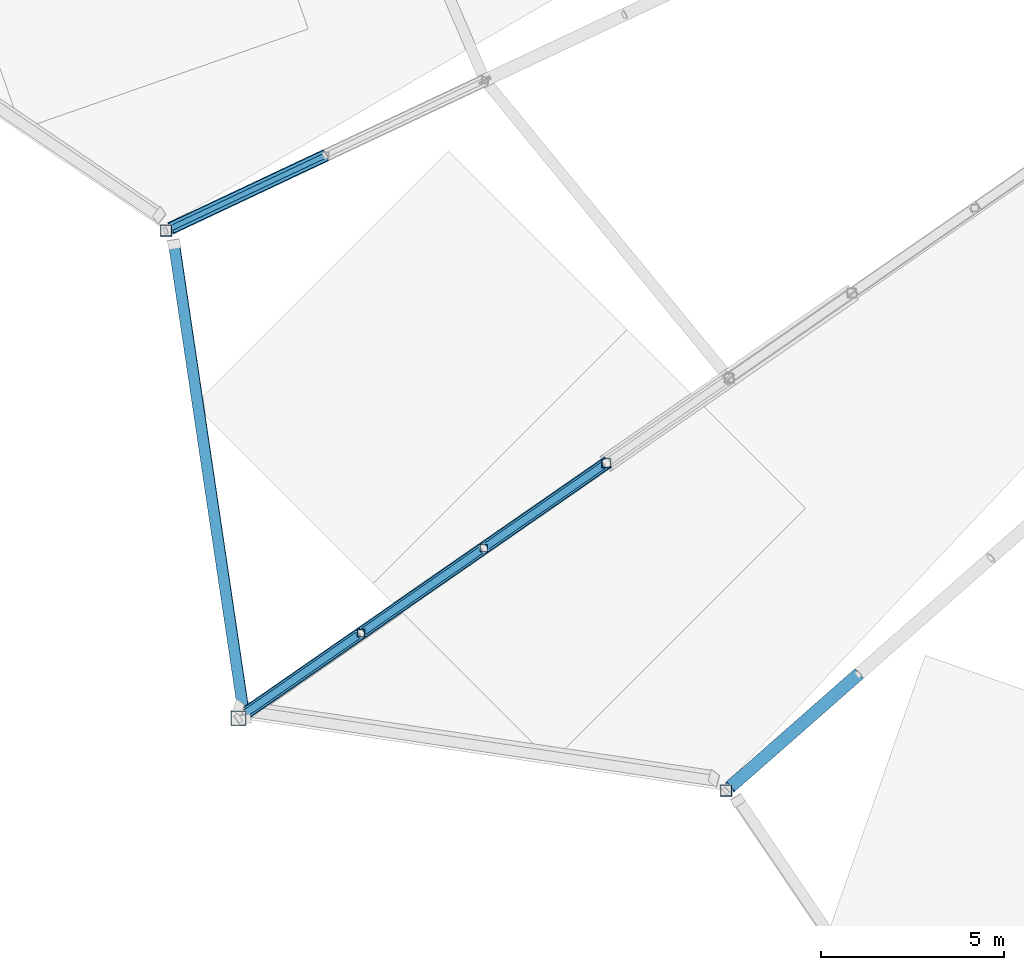
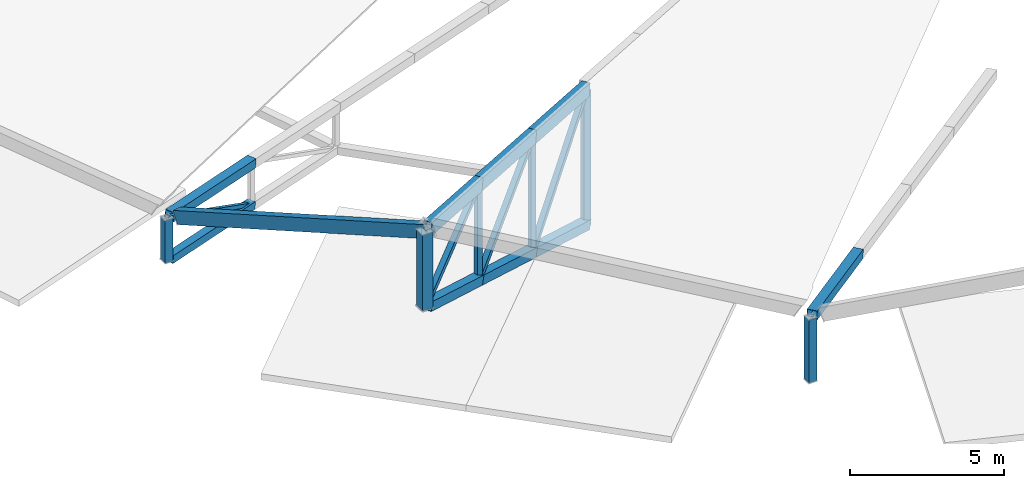
# One storey, part 2 of 188: 19 members, 1 beam.
"""IFC4 building model written with IfcOpenShell, lengths in metres."""

from ifc_helpers import new_model, si_unit, direction, frame, origin, origin_2d, place, context, subcontext, project, spatial, hollow_rectangle, extrude, material, material_profile, profile_set, type_object, element, save


model = new_model("IFC4")

# Units and contexts
model_context = context("Model", 3, precision=1e-05, world=origin(), true_north=direction((0.0, 1.0)))
body_context = subcontext(model_context, "Body", "Model", "MODEL_VIEW")
ifc_project = project(units=[si_unit("LENGTHUNIT", "METRE"), si_unit("AREAUNIT", "SQUARE_METRE"), si_unit("VOLUMEUNIT", "CUBIC_METRE"), si_unit("PLANEANGLEUNIT", "RADIAN"), si_unit("MASSUNIT", "GRAM", prefix="KILO")], contexts=[model_context])

# Site, building, storey
site_placement = place(None, origin())
site = spatial("IfcSite", under=ifc_project, at=site_placement, CompositionType="ELEMENT")
building_placement = place(site_placement, origin())
building = spatial("IfcBuilding", under=site, at=building_placement, Name="Meseta Stadium", CompositionType="ELEMENT")
storey_placement = place(building_placement, frame((0.0, 0.0, 30.0)))
storey = spatial("IfcBuildingStorey", under=building, at=storey_placement, Name="ROOF", CompositionType="ELEMENT", Elevation=30.0)

# Beam
ifc_material_1 = material(Name="Steel S355", Category="steel")
ifc_material_profile_1 = material_profile(ifc_material_1, hollow_rectangle(XDim=0.300048828125, YDim=0.5, WallThickness=0.01611328125, at=origin_2d()), Name="RHS 500x300x16")
ifc_profile_set_1 = profile_set([ifc_material_profile_1], Name="Steel S355")
beam_type = type_object("IfcBeamType", Name="RHS 500x300x16 rim ring beam", PredefinedType="BEAM", material=ifc_profile_set_1)
beam_placement = place(storey_placement, frame((-86.927490234375, -76.234619140625, 3.794189453125), z_axis=(0.131080910292, -0.882924273132, 0.450846451545), x_axis=(0.986889033521, 0.15941200695, 0.025255644034)))
element("IfcBeam", 1, at=beam_placement, inside=storey, type_object=beam_type, Name="RIM RING BEAM 40", PredefinedType="BEAM", context=body_context, shape_type="SweptSolid", body=[
    extrude(hollow_rectangle(XDim=0.300048828125, YDim=0.5, WallThickness=0.01611328125, at=origin_2d()), origin(), (0.0, 0.0, 1.0), 14.6728515625),
])

# Members
ifc_material_2 = material(Name="Steel S355", Category="steel")
ifc_material_profile_2 = material_profile(ifc_material_2, hollow_rectangle(XDim=0.300048828125, YDim=0.5, WallThickness=0.01611328125, at=origin_2d()), Name="RHS 500x300x16")
ifc_profile_set_2 = profile_set([ifc_material_profile_2], Name="Steel S355")
member_type_1 = type_object("IfcMemberType", Name="RHS 500x300x16 top chord", PredefinedType="CHORD", material=ifc_profile_set_2)
member_1_placement = place(storey_placement, frame((-75.125, -82.210205078125, 8.32421875), z_axis=(-0.810009129028, -0.561279649393, 0.169853955118), x_axis=(0.569555723759, -0.821952722201, 0.0)))
element("IfcMember", 2, at=member_1_placement, inside=storey, type_object=member_type_1, Name="ROOF TRUSS RT-40 top chord", PredefinedType="CHORD", context=body_context, shape_type="SweptSolid", body=[
    extrude(hollow_rectangle(XDim=0.300048828125, YDim=0.5, WallThickness=0.01611328125, at=origin_2d()), origin(), (0.0, 0.0, 1.0), 4.13525390625),
])
member_2_placement = place(storey_placement, frame((-78.474609375, -84.53125, 9.026611328125), z_axis=(-0.80998228756, -0.561320086743, 0.169848326626), x_axis=(0.569596196645, -0.821924675848, 0.0)))
element("IfcMember", 3, at=member_2_placement, inside=storey, type_object=member_type_1, Name="ROOF TRUSS RT-40 top chord", PredefinedType="CHORD", context=body_context, shape_type="SweptSolid", body=[
    extrude(hollow_rectangle(XDim=0.300048828125, YDim=0.5, WallThickness=0.01611328125, at=origin_2d()), origin(), (0.0, 0.0, 1.0), 4.135498046875),
])
member_3_placement = place(storey_placement, frame((-81.82421875, -86.8525390625, 9.72900390625), z_axis=(-0.809975924972, -0.561325227416, 0.169861679119), x_axis=(0.56960274334, -0.821920138931, 0.0)))
element("IfcMember", 4, at=member_3_placement, inside=storey, type_object=member_type_1, Name="ROOF TRUSS RT-40 top chord", PredefinedType="CHORD", context=body_context, shape_type="SweptSolid", body=[
    extrude(hollow_rectangle(XDim=0.300048828125, YDim=0.5, WallThickness=0.01611328125, at=origin_2d()), origin(), (0.0, 0.0, 1.0), 3.935302734375),
])
ifc_material_3 = material(Name="Steel S355", Category="steel")
ifc_material_profile_3 = material_profile(ifc_material_3, hollow_rectangle(XDim=0.139892578125, YDim=0.139892578125, WallThickness=0.0048828125, at=origin_2d()), Name="SHS 140x140x5")
ifc_profile_set_3 = profile_set([ifc_material_profile_3], Name="Steel S355")
member_type_2 = type_object("IfcMemberType", Name="SHS 140x140x5 diagonal", PredefinedType="BRACE", material=ifc_profile_set_3)
member_4_placement = place(storey_placement, frame((-82.798095703125, -73.806396484375, 1.3408203125), z_axis=(-0.820460556715, -0.386461818122, 0.421297683366), x_axis=(0.426124454382, -0.904664550747, 0.0)))
element("IfcMember", 5, at=member_4_placement, inside=storey, type_object=member_type_2, Name="ROOF TRUSS RT-39 diagonal", PredefinedType="BRACE", context=body_context, shape_type="SweptSolid", body=[
    extrude(hollow_rectangle(XDim=0.139892578125, YDim=0.139892578125, WallThickness=0.0048828125, at=origin_2d()), origin(), (0.0, 0.0, 1.0), 5.30517578125),
])
ifc_material_4 = material(Name="Steel S355", Category="steel")
ifc_material_profile_4 = material_profile(ifc_material_4, hollow_rectangle(XDim=0.199951171875, YDim=0.199951171875, WallThickness=0.008056640625, at=origin_2d()), Name="SHS 200x200x8")
ifc_profile_set_4 = profile_set([ifc_material_profile_4], Name="Steel S355")
member_type_3 = type_object("IfcMemberType", Name="SHS 200x200x8 diagonal", PredefinedType="BRACE", material=ifc_profile_set_4)
member_5_placement = place(storey_placement, frame((-75.125, -82.210205078125, 8.32421875), z_axis=(-0.596813618518, -0.413550078079, -0.687597147807), x_axis=(0.569555723759, -0.821952722201, 0.0)))
element("IfcMember", 6, at=member_5_placement, inside=storey, type_object=member_type_3, Name="ROOF TRUSS RT-40 diagonal", PredefinedType="BRACE", context=body_context, shape_type="SweptSolid", body=[
    extrude(hollow_rectangle(XDim=0.199951171875, YDim=0.199951171875, WallThickness=0.008056640625, at=origin_2d()), origin(), (0.0, 0.0, 1.0), 5.612548828125),
])
member_6_placement = place(storey_placement, frame((-78.474609375, -84.53125, 9.026611328125), z_axis=(-0.655846017792, -0.454503202417, -0.602737787051), x_axis=(0.569596196645, -0.821924675848, 0.0)))
element("IfcMember", 7, at=member_6_placement, inside=storey, type_object=member_type_3, Name="ROOF TRUSS RT-40 diagonal", PredefinedType="BRACE", context=body_context, shape_type="SweptSolid", body=[
    extrude(hollow_rectangle(XDim=0.199951171875, YDim=0.199951171875, WallThickness=0.008056640625, at=origin_2d()), origin(), (0.0, 0.0, 1.0), 5.107421875),
])
member_7_placement = place(storey_placement, frame((-81.82421875, -86.8525390625, 9.72900390625), z_axis=(-0.715975906446, -0.496173390561, -0.491111461776), x_axis=(0.569596196645, -0.821924675848, 0.0)))
element("IfcMember", 8, at=member_7_placement, inside=storey, type_object=member_type_3, Name="ROOF TRUSS RT-40 diagonal", PredefinedType="BRACE", context=body_context, shape_type="SweptSolid", body=[
    extrude(hollow_rectangle(XDim=0.199951171875, YDim=0.199951171875, WallThickness=0.008056640625, at=origin_2d()), origin(), (0.0, 0.0, 1.0), 4.678466796875),
])
ifc_material_5 = material(Name="Steel S355", Category="steel")
ifc_material_profile_5 = material_profile(ifc_material_5, hollow_rectangle(XDim=0.199951171875, YDim=0.199951171875, WallThickness=0.008056640625, at=origin_2d()), Name="SHS 200x200x8")
ifc_profile_set_5 = profile_set([ifc_material_profile_5], Name="Steel S355")
member_type_4 = type_object("IfcMemberType", Name="SHS 200x200x8 post", PredefinedType="POST", material=ifc_profile_set_5)
member_8_placement = place(storey_placement, frame((-78.474609375, -84.53125, 4.465087890625), z_axis=(0.0, 0.0, 1.0), x_axis=(1.0, 0.0, 0.0)))
element("IfcMember", 9, at=member_8_placement, inside=storey, type_object=member_type_4, Name="ROOF TRUSS RT-40 post", PredefinedType="POST", context=body_context, shape_type="SweptSolid", body=[
    extrude(hollow_rectangle(XDim=0.199951171875, YDim=0.199951171875, WallThickness=0.008056640625, at=origin_2d()), origin(), (0.0, 0.0, 1.0), 4.5615234375),
])
member_9_placement = place(storey_placement, frame((-81.82421875, -86.8525390625, 5.9482421875), z_axis=(0.0, 0.0, 1.0), x_axis=(1.0, 0.0, 0.0)))
element("IfcMember", 10, at=member_9_placement, inside=storey, type_object=member_type_4, Name="ROOF TRUSS RT-40 post", PredefinedType="POST", context=body_context, shape_type="SweptSolid", body=[
    extrude(hollow_rectangle(XDim=0.199951171875, YDim=0.199951171875, WallThickness=0.008056640625, at=origin_2d()), origin(), (0.0, 0.0, 1.0), 3.78076171875),
])
ifc_material_6 = material(Name="Steel S355", Category="steel")
ifc_material_profile_6 = material_profile(ifc_material_6, hollow_rectangle(XDim=0.25, YDim=0.25, WallThickness=0.010009765625, at=origin_2d()), Name="SHS 250x250x10")
ifc_profile_set_6 = profile_set([ifc_material_profile_6], Name="Steel S355")
member_type_5 = type_object("IfcMemberType", Name="SHS 250x250x10 post", PredefinedType="POST", material=ifc_profile_set_6)
member_10_placement = place(storey_placement, frame((-75.125, -82.210205078125, 2.98193359375), z_axis=(0.0, 0.0, 1.0), x_axis=(1.0, 0.0, 0.0)))
element("IfcMember", 11, at=member_10_placement, inside=storey, type_object=member_type_5, Name="ROOF TRUSS RT-40 post", PredefinedType="POST", context=body_context, shape_type="SweptSolid", body=[
    extrude(hollow_rectangle(XDim=0.25, YDim=0.25, WallThickness=0.010009765625, at=origin_2d()), origin(), (0.0, 0.0, 1.0), 5.34228515625),
])
ifc_material_7 = material(Name="Steel S355", Category="steel")
ifc_material_profile_7 = material_profile(ifc_material_7, hollow_rectangle(XDim=0.300048828125, YDim=0.300048828125, WallThickness=0.010009765625, at=origin_2d()), Name="SHS 300x300x10")
ifc_profile_set_7 = profile_set([ifc_material_profile_7], Name="Steel S355")
member_type_6 = type_object("IfcMemberType", Name="SHS 300x300x10 bottom chord", PredefinedType="CHORD", material=ifc_profile_set_7)
member_11_placement = place(storey_placement, frame((-82.798095703125, -73.806396484375, 1.3408203125), z_axis=(-0.89869405997, -0.423312627194, 0.114697019288), x_axis=(0.426124829348, -0.904664374126, 0.0)))
element("IfcMember", 12, at=member_11_placement, inside=storey, type_object=member_type_6, Name="ROOF TRUSS RT-39 bottom chord", PredefinedType="CHORD", context=body_context, shape_type="SweptSolid", body=[
    extrude(hollow_rectangle(XDim=0.300048828125, YDim=0.300048828125, WallThickness=0.010009765625, at=origin_2d()), origin(), (0.0, 0.0, 1.0), 4.693603515625),
])
ifc_material_8 = material(Name="Steel S355", Category="steel")
ifc_material_profile_8 = material_profile(ifc_material_8, hollow_rectangle(XDim=0.300048828125, YDim=0.300048828125, WallThickness=0.010009765625, at=origin_2d()), Name="SHS 300x300x10")
ifc_profile_set_8 = profile_set([ifc_material_profile_8], Name="Steel S355")
member_type_7 = type_object("IfcMemberType", Name="SHS 300x300x10 rim post", PredefinedType="POST", material=ifc_profile_set_8)
member_12_placement = place(storey_placement, frame((-87.15087890625, -75.856689453125, 1.896240234375), z_axis=(0.0, 0.0, 1.0), x_axis=(1.0, 0.0, 0.0)))
element("IfcMember", 13, at=member_12_placement, inside=storey, type_object=member_type_7, Name="ROOF TRUSS RT-39 post", PredefinedType="POST", context=body_context, shape_type="SweptSolid", body=[
    extrude(hollow_rectangle(XDim=0.300048828125, YDim=0.300048828125, WallThickness=0.010009765625, at=origin_2d()), origin(), (0.0, 0.0, 1.0), 1.6796875),
])
member_13_placement = place(storey_placement, frame((-71.856689453125, -91.15087890625, 1.066162109375), z_axis=(0.0, 0.0, 1.0), x_axis=(1.0, 0.0, 0.0)))
element("IfcMember", 14, at=member_13_placement, inside=storey, type_object=member_type_7, Name="ROOF TRUSS RT-41 post", PredefinedType="POST", context=body_context, shape_type="SweptSolid", body=[
    extrude(hollow_rectangle(XDim=0.300048828125, YDim=0.300048828125, WallThickness=0.010009765625, at=origin_2d()), origin(), (0.0, 0.0, 1.0), 2.49365234375),
])
ifc_material_9 = material(Name="Steel S355", Category="steel")
ifc_material_profile_9 = material_profile(ifc_material_9, hollow_rectangle(XDim=0.35009765625, YDim=0.35009765625, WallThickness=0.010009765625, at=origin_2d()), Name="SHS 350x350x10")
ifc_profile_set_9 = profile_set([ifc_material_profile_9], Name="Steel S355")
member_type_8 = type_object("IfcMemberType", Name="SHS 350x350x10 bottom chord", PredefinedType="CHORD", material=ifc_profile_set_9)
member_14_placement = place(storey_placement, frame((-75.125, -82.210205078125, 2.98193359375), z_axis=(-0.772388495248, -0.535211182531, 0.342001465644), x_axis=(0.569555723759, -0.821952722201, 0.0)))
element("IfcMember", 15, at=member_14_placement, inside=storey, type_object=member_type_8, Name="ROOF TRUSS RT-40 bottom chord", PredefinedType="CHORD", context=body_context, shape_type="SweptSolid", body=[
    extrude(hollow_rectangle(XDim=0.35009765625, YDim=0.35009765625, WallThickness=0.010009765625, at=origin_2d()), origin(), (0.0, 0.0, 1.0), 4.336669921875),
])
member_15_placement = place(storey_placement, frame((-78.474609375, -84.53125, 4.465087890625), z_axis=(-0.772365222596, -0.535251351053, 0.34199116088), x_axis=(0.569596196645, -0.821924675848, 0.0)))
element("IfcMember", 16, at=member_15_placement, inside=storey, type_object=member_type_8, Name="ROOF TRUSS RT-40 bottom chord", PredefinedType="CHORD", context=body_context, shape_type="SweptSolid", body=[
    extrude(hollow_rectangle(XDim=0.35009765625, YDim=0.35009765625, WallThickness=0.010009765625, at=origin_2d()), origin(), (0.0, 0.0, 1.0), 4.3369140625),
])
member_16_placement = place(storey_placement, frame((-81.82421875, -86.8525390625, 5.9482421875), z_axis=(-0.772368850355, -0.535234439052, 0.342009435914), x_axis=(0.569582230921, -0.82193435396, 0.0)))
element("IfcMember", 17, at=member_16_placement, inside=storey, type_object=member_type_8, Name="ROOF TRUSS RT-40 bottom chord", PredefinedType="CHORD", context=body_context, shape_type="SweptSolid", body=[
    extrude(hollow_rectangle(XDim=0.35009765625, YDim=0.35009765625, WallThickness=0.010009765625, at=origin_2d()), origin(), (0.0, 0.0, 1.0), 4.13671875),
])
ifc_material_10 = material(Name="Steel S355", Category="steel")
ifc_material_profile_10 = material_profile(ifc_material_10, hollow_rectangle(XDim=0.35009765625, YDim=0.35009765625, WallThickness=0.010009765625, at=origin_2d()), Name="SHS 350x350x10")
ifc_profile_set_10 = profile_set([ifc_material_profile_10], Name="Steel S355")
member_type_9 = type_object("IfcMemberType", Name="SHS 350x350x10 top chord", PredefinedType="CHORD", material=ifc_profile_set_10)
member_17_placement = place(storey_placement, frame((-82.798095703125, -73.806396484375, 3.0205078125), z_axis=(-0.89869405997, -0.423312627194, 0.114697019288), x_axis=(0.426124829348, -0.904664374126, 0.0)))
element("IfcMember", 18, at=member_17_placement, inside=storey, type_object=member_type_9, Name="ROOF TRUSS RT-39 top chord", PredefinedType="CHORD", context=body_context, shape_type="SweptSolid", body=[
    extrude(hollow_rectangle(XDim=0.35009765625, YDim=0.35009765625, WallThickness=0.010009765625, at=origin_2d()), origin(), (0.0, 0.0, 1.0), 4.693603515625),
])
member_18_placement = place(storey_placement, frame((-68.239501953125, -87.9716796875, 2.893798828125), z_axis=(-0.744043554402, -0.653933397629, 0.137004746698), x_axis=(0.660158433584, -0.751126382554, 0.0)))
element("IfcMember", 19, at=member_18_placement, inside=storey, type_object=member_type_9, Name="ROOF TRUSS RT-41 top chord", PredefinedType="CHORD", context=body_context, shape_type="SweptSolid", body=[
    extrude(hollow_rectangle(XDim=0.35009765625, YDim=0.35009765625, WallThickness=0.010009765625, at=origin_2d()), origin(), (0.0, 0.0, 1.0), 4.711669921875),
])
ifc_material_11 = material(Name="Steel S355", Category="steel")
ifc_material_profile_11 = material_profile(ifc_material_11, hollow_rectangle(XDim=0.39990234375, YDim=0.39990234375, WallThickness=0.01416015625, at=origin_2d()), Name="SHS 400x400x14.2")
ifc_profile_set_11 = profile_set([ifc_material_profile_11], Name="Steel S355")
member_type_10 = type_object("IfcMemberType", Name="SHS 400x400x14.2 rim post", PredefinedType="POST", material=ifc_profile_set_11)
member_19_placement = place(storey_placement, frame((-85.173828125, -89.173828125, 7.431396484375), z_axis=(0.0, 0.0, 1.0), x_axis=(1.0, 0.0, 0.0)))
element("IfcMember", 20, at=member_19_placement, inside=storey, type_object=member_type_10, Name="ROOF TRUSS RT-40 post", PredefinedType="POST", context=body_context, shape_type="SweptSolid", body=[
    extrude(hollow_rectangle(XDim=0.39990234375, YDim=0.39990234375, WallThickness=0.01416015625, at=origin_2d()), origin(), (0.0, 0.0, 1.0), 3.0),
])

save(model, "model.ifc")
